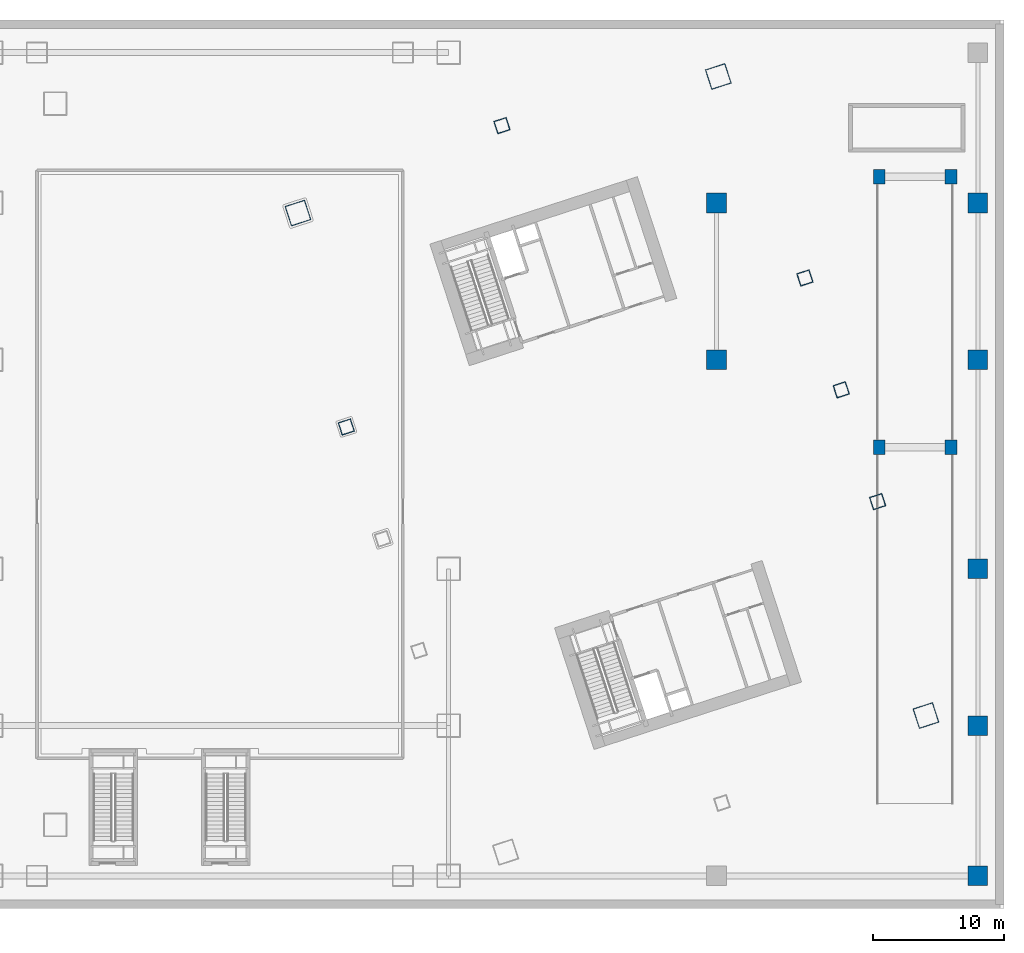
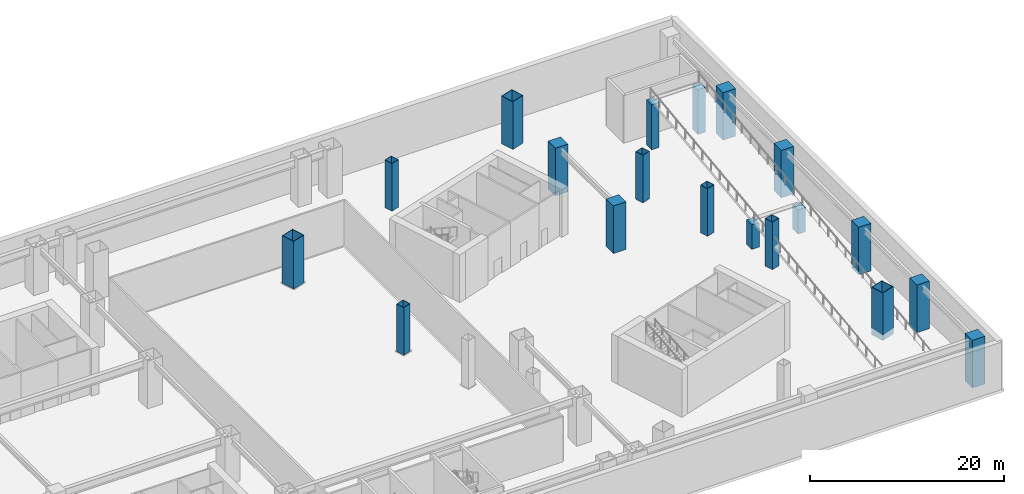
# One storey, part 2 of 20: 19 columns.
"""IFC4 building model written with IfcOpenShell, lengths in metres."""

from ifc_helpers import new_model, si_unit, direction, frame, origin, origin_2d, place, context, subcontext, project, spatial, rectangle, hollow_rectangle, extrude, material, material_profile, profile_set, type_object, element, save


model = new_model("IFC4")

# Units and contexts
model_context = context("Model", 3, precision=1e-05, world=origin(), true_north=direction((0.0, 1.0)))
body_context = subcontext(model_context, "Body", "Model", "MODEL_VIEW")
ifc_project = project(units=[si_unit("LENGTHUNIT", "METRE"), si_unit("AREAUNIT", "SQUARE_METRE"), si_unit("VOLUMEUNIT", "CUBIC_METRE"), si_unit("PLANEANGLEUNIT", "RADIAN"), si_unit("MASSUNIT", "GRAM", prefix="KILO")], contexts=[model_context])

# Site, building, storey
site_placement = place(None, origin())
site = spatial("IfcSite", under=ifc_project, at=site_placement, CompositionType="ELEMENT")
building_placement = place(site_placement, origin())
building = spatial("IfcBuilding", under=site, at=building_placement, Name="Qiaolan Cultural Towers", CompositionType="ELEMENT")
storey_placement = place(building_placement, frame((0.0, 0.0, -6.0)))
storey = spatial("IfcBuildingStorey", under=building, at=storey_placement, Name="B1", CompositionType="ELEMENT", Elevation=-6.0)

# Columns
ifc_material_1 = material(Name="Steel Q355B", Category="steel")
ifc_material_profile_1 = material_profile(ifc_material_1, hollow_rectangle(XDim=1.0, YDim=1.0, WallThickness=0.035888671875, at=origin_2d()), Name="BOX1000x1000x36")
ifc_profile_set_1 = profile_set([ifc_material_profile_1], Name="Steel Q355B")
column_type_1 = type_object("IfcColumnType", Name="COL-BOX1000x1000x36", PredefinedType="COLUMN", material=ifc_profile_set_1)
for number, where, z_axis, x_axis, name in (
    (1, (69.671875, 36.858154296875, 0.0), (0.0, 0.0, 1.0), (0.951056516295, 0.309016994375, 0.0), "B1 T2 Column PC-W3"),
    (2, (110.328125, 31.141845703125, 0.0), (0.0, 0.0, 1.0), (0.951056516295, 0.309016994375, 0.0), "B1 T2 Column PC-E1"),
    (3, (107.546875, 39.701416015625, 0.0), (0.0, 0.0, 1.0), (0.951056516295, 0.309016994375, 0.0), "B1 T2 Column PC-E2"),
    (4, (104.765869140625, 48.260986328125, 0.0), (0.0, 0.0, 1.0), (0.951056516295, 0.309016994375, 0.0), "B1 T2 Column PC-E3"),
    (5, (81.579345703125, 59.916259765625, 0.0), (0.0, 0.0, 1.0), (0.951056516295, 0.309016994375, 0.0), "B1 T2 Column PC-N0"),
):
    element("IfcColumn", number, at=place(storey_placement, frame(where, z_axis=z_axis, x_axis=x_axis)), inside=storey, type_object=column_type_1, Name=name, PredefinedType="COLUMN", context=body_context, shape_type="SweptSolid", body=[
        extrude(hollow_rectangle(XDim=1.0, YDim=1.0, WallThickness=0.035888671875, at=origin_2d()), origin(), (0.0, 0.0, 1.0), 6.0009765625),
    ])
ifc_material_2 = material(Name="Steel Q420GJB", Category="steel")
ifc_material_profile_2 = material_profile(ifc_material_2, hollow_rectangle(XDim=1.60009765625, YDim=1.60009765625, WallThickness=0.054931640625, at=origin_2d()), Name="BOX1600x1600x55")
ifc_profile_set_2 = profile_set([ifc_material_profile_2], Name="Steel Q420GJB")
column_type_2 = type_object("IfcColumnType", Name="COL-BOX1600x1600x55", PredefinedType="COLUMN", material=ifc_profile_set_2)
for number, where, z_axis, x_axis, name in (
    (6, (114.027099609375, 14.77392578125, 0.0), (0.0, 0.0, 1.0), (0.951056516295, 0.309016994375, 0.0), "B1 T2 Column MC-SE"),
    (7, (98.137451171875, 63.67724609375, 0.0), (0.0, 0.0, 1.0), (0.951056516295, 0.309016994375, 0.0), "B1 T2 Column MC-NE"),
    (8, (65.972900390625, 53.22607421875, 0.0), (0.0, 0.0, 1.0), (0.951056516295, 0.309016994375, 0.0), "B1 T2 Column MC-NW"),
):
    element("IfcColumn", number, at=place(storey_placement, frame(where, z_axis=z_axis, x_axis=x_axis)), inside=storey, type_object=column_type_2, Name=name, PredefinedType="COLUMN", context=body_context, shape_type="SweptSolid", body=[
        extrude(hollow_rectangle(XDim=1.60009765625, YDim=1.60009765625, WallThickness=0.054931640625, at=origin_2d()), origin(), (0.0, 0.0, 1.0), 6.0009765625),
    ])
ifc_material_3 = material(Name="Concrete C60", Category="concrete")
ifc_material_profile_3 = material_profile(ifc_material_3, rectangle(XDim=1.5, YDim=1.5, at=origin_2d()), Name="RC1500x1500")
ifc_profile_set_3 = profile_set([ifc_material_profile_3], Name="Concrete C60")
column_type_3 = type_object("IfcColumnType", Name="COL-RC1500x1500", PredefinedType="COLUMN", material=ifc_profile_set_3)
for number, where, z_axis, x_axis, name in (
    (9, (98.0, 42.0, 0.0), (0.0, 0.0, 1.0), (1.0, 0.0, 0.0), "B1 Podium Column PC-98-42"),
    (10, (98.0, 54.0, 0.0), (0.0, 0.0, 1.0), (1.0, 0.0, 0.0), "B1 Podium Column PC-98-54"),
    (11, (118.0, 2.5, 0.0), (0.0, 0.0, 1.0), (1.0, 0.0, 0.0), "B1 Podium Column PC-118-2"),
    (12, (118.0, 14.0, 0.0), (0.0, 0.0, 1.0), (1.0, 0.0, 0.0), "B1 Podium Column PC-118-14"),
    (13, (118.0, 26.0, 0.0), (0.0, 0.0, 1.0), (1.0, 0.0, 0.0), "B1 Podium Column PC-118-26"),
    (14, (118.0, 42.0, 0.0), (0.0, 0.0, 1.0), (1.0, 0.0, 0.0), "B1 Podium Column PC-118-42"),
    (15, (118.0, 54.0, 0.0), (0.0, 0.0, 1.0), (1.0, 0.0, 0.0), "B1 Podium Column PC-118-54"),
):
    element("IfcColumn", number, at=place(storey_placement, frame(where, z_axis=z_axis, x_axis=x_axis)), inside=storey, type_object=column_type_3, Name=name, PredefinedType="COLUMN", context=body_context, shape_type="SweptSolid", body=[
        extrude(rectangle(XDim=1.5, YDim=1.5, at=origin_2d()), origin(), (0.0, 0.0, 1.0), 6.0009765625),
    ])
ifc_material_4 = material(Name="Concrete C50", Category="concrete")
ifc_material_profile_4 = material_profile(ifc_material_4, rectangle(XDim=0.89990234375, YDim=1.10009765625, at=origin_2d()), Name="RC900x1100")
ifc_profile_set_4 = profile_set([ifc_material_profile_4], Name="Concrete C50")
column_type_4 = type_object("IfcColumnType", Name="COL-RC900x1100", PredefinedType="COLUMN", material=ifc_profile_set_4)
for number, where, z_axis, x_axis, name in (
    (16, (110.449951171875, 35.300048828125, 0.0), (0.0, 0.0, 1.0), (1.0, 0.0, 0.0), "B1 Vehicle Ramp Support Column 1"),
    (17, (115.949951171875, 35.300048828125, 0.0), (0.0, 0.0, 1.0), (1.0, 0.0, 0.0), "B1 Vehicle Ramp Support Column 2"),
):
    element("IfcColumn", number, at=place(storey_placement, frame(where, z_axis=z_axis, x_axis=x_axis)), inside=storey, type_object=column_type_4, Name=name, PredefinedType="COLUMN", context=body_context, shape_type="SweptSolid", body=[
        extrude(rectangle(XDim=0.89990234375, YDim=1.10009765625, at=origin_2d()), origin(), (0.0, 0.0, 1.0), 3.080078125),
    ])
for number, where, z_axis, x_axis, name in (
    (18, (110.449951171875, 56.0, 0.0), (0.0, 0.0, 1.0), (1.0, 0.0, 0.0), "B1 Vehicle Ramp Support Column 3"),
    (19, (115.949951171875, 56.0, 0.0), (0.0, 0.0, 1.0), (1.0, 0.0, 0.0), "B1 Vehicle Ramp Support Column 4"),
):
    element("IfcColumn", number, at=place(storey_placement, frame(where, z_axis=z_axis, x_axis=x_axis)), inside=storey, type_object=column_type_4, Name=name, PredefinedType="COLUMN", context=body_context, shape_type="SweptSolid", body=[
        extrude(rectangle(XDim=0.89990234375, YDim=1.10009765625, at=origin_2d()), origin(), (0.0, 0.0, 1.0), 5.64990234375),
    ])

save(model, "model.ifc")
